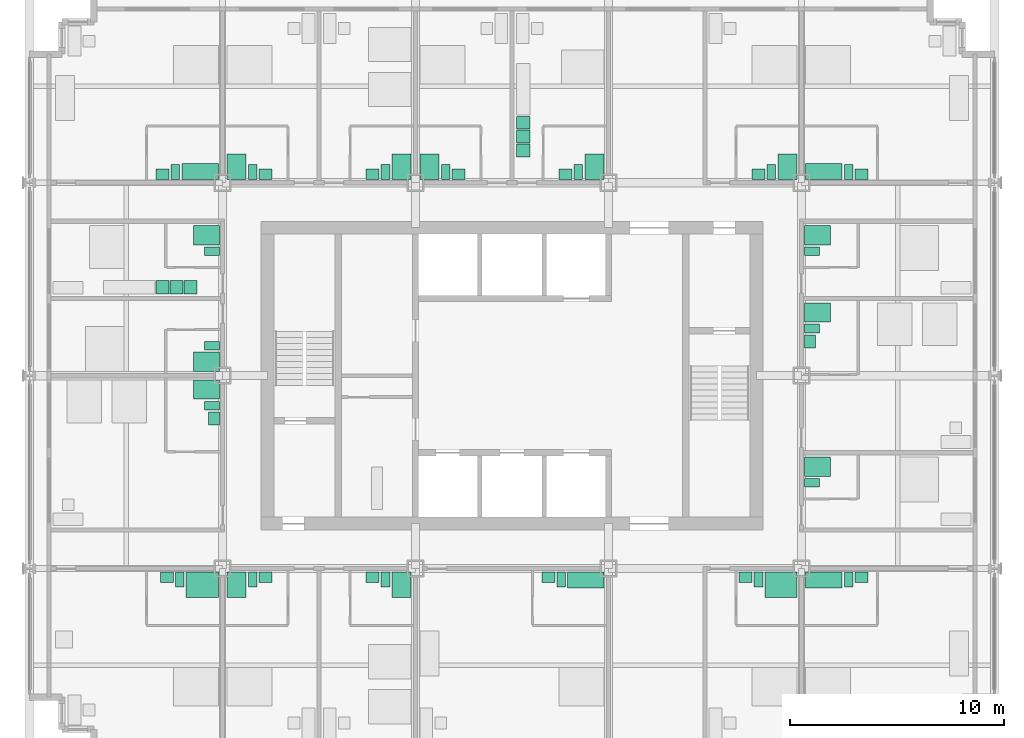
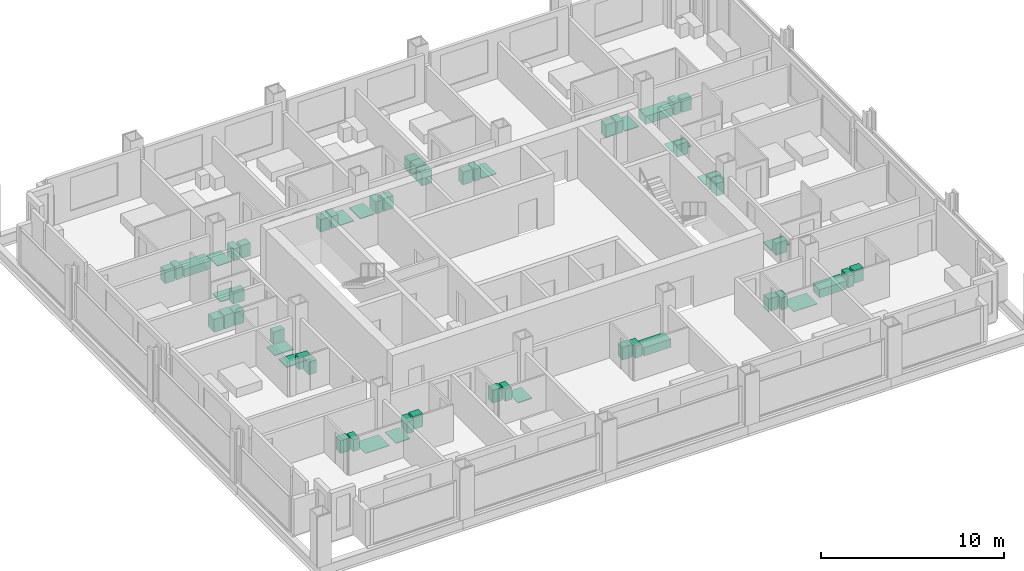
# One storey, part 16 of 17: 53 sanitary terminals, 6 electric appliances.
"""IFC4 building model written with IfcOpenShell, lengths in metres."""

from ifc_helpers import new_model, si_unit, direction, frame, origin, origin_2d, place, context, subcontext, project, spatial, rectangle, extrude, element, save


model = new_model("IFC4")

# Units and contexts
model_context = context("Model", 3, precision=1e-05, world=origin(), true_north=direction((0.0, 1.0)))
body_context = subcontext(model_context, "Body", "Model", "MODEL_VIEW")
ifc_project = project(units=[si_unit("LENGTHUNIT", "METRE"), si_unit("AREAUNIT", "SQUARE_METRE"), si_unit("VOLUMEUNIT", "CUBIC_METRE"), si_unit("PLANEANGLEUNIT", "RADIAN"), si_unit("MASSUNIT", "GRAM", prefix="KILO")], contexts=[model_context])

# Site, building, storey
site_placement = place(None, origin())
site = spatial("IfcSite", under=ifc_project, at=site_placement, CompositionType="ELEMENT")
building_placement = place(site_placement, origin())
building = spatial("IfcBuilding", under=site, at=building_placement, Name="Loomwork Tower", CompositionType="ELEMENT")
storey_placement = place(building_placement, frame((0.0, 0.0, 138.39990234375)))
storey = spatial("IfcBuildingStorey", under=building, at=storey_placement, Name="L37", CompositionType="ELEMENT", Elevation=138.39990234375)

# Sanitary terminals
sanitary_terminal_1_placement = place(storey_placement, frame((8.050048828125, 8.25, 0.0), z_axis=(0.0, 0.0, 1.0), x_axis=(1.0, 0.0, 0.0)))
element("IfcSanitaryTerminal", 1, at=sanitary_terminal_1_placement, inside=storey, Name="Roll-in shower floor L37", PredefinedType="SHOWER", context=body_context, shape_type="SweptSolid", body=[
    extrude(rectangle(XDim=1.5, YDim=1.199951171875, at=origin_2d()), origin(), (0.0, 0.0, 1.0), 0.030029296875),
])
sanitary_terminal_2_placement = place(storey_placement, frame((7.0, 8.5, 0.0), z_axis=(0.0, 0.0, 1.0), x_axis=(1.0, 0.0, 0.0)))
element("IfcSanitaryTerminal", 2, at=sanitary_terminal_2_placement, inside=storey, Name="WC L37", PredefinedType="TOILETPAN", context=body_context, shape_type="SweptSolid", body=[
    extrude(rectangle(XDim=0.39990234375, YDim=0.699951171875, at=origin_2d()), origin(), (0.0, 0.0, 1.0), 0.800048828125),
])
sanitary_terminal_3_placement = place(storey_placement, frame((6.39990234375, 8.60009765625, 0.0), z_axis=(0.0, 0.0, 1.0), x_axis=(1.0, 0.0, 0.0)))
element("IfcSanitaryTerminal", 3, at=sanitary_terminal_3_placement, inside=storey, Name="Basin vanity L37", PredefinedType="WASHHANDBASIN", context=body_context, shape_type="SweptSolid", body=[
    extrude(rectangle(XDim=0.60009765625, YDim=0.5, at=origin_2d()), origin(), (0.0, 0.0, 1.0), 0.85009765625),
])
sanitary_terminal_4_placement = place(storey_placement, frame((9.64990234375, 8.25, 0.0), z_axis=(0.0, 0.0, 1.0), x_axis=(1.0, 0.0, 0.0)))
element("IfcSanitaryTerminal", 4, at=sanitary_terminal_4_placement, inside=storey, Name="Shower tray L37", PredefinedType="SHOWER", context=body_context, shape_type="SweptSolid", body=[
    extrude(rectangle(XDim=0.89990234375, YDim=1.199951171875, at=origin_2d()), origin(), (0.0, 0.0, 1.0), 0.050048828125),
])
sanitary_terminal_5_placement = place(storey_placement, frame((10.39990234375, 8.5, 0.0), z_axis=(0.0, 0.0, 1.0), x_axis=(1.0, 0.0, 0.0)))
element("IfcSanitaryTerminal", 5, at=sanitary_terminal_5_placement, inside=storey, Name="WC L37", PredefinedType="TOILETPAN", context=body_context, shape_type="SweptSolid", body=[
    extrude(rectangle(XDim=0.39990234375, YDim=0.699951171875, at=origin_2d()), origin(), (0.0, 0.0, 1.0), 0.800048828125),
])
sanitary_terminal_6_placement = place(storey_placement, frame((11.0, 8.60009765625, 0.0), z_axis=(0.0, 0.0, 1.0), x_axis=(1.0, 0.0, 0.0)))
element("IfcSanitaryTerminal", 6, at=sanitary_terminal_6_placement, inside=storey, Name="Basin vanity L37", PredefinedType="WASHHANDBASIN", context=body_context, shape_type="SweptSolid", body=[
    extrude(rectangle(XDim=0.60009765625, YDim=0.5, at=origin_2d()), origin(), (0.0, 0.0, 1.0), 0.85009765625),
])
sanitary_terminal_7_placement = place(storey_placement, frame((17.35009765625, 8.25, 0.0), z_axis=(0.0, 0.0, 1.0), x_axis=(1.0, 0.0, 0.0)))
element("IfcSanitaryTerminal", 7, at=sanitary_terminal_7_placement, inside=storey, Name="Shower tray L37", PredefinedType="SHOWER", context=body_context, shape_type="SweptSolid", body=[
    extrude(rectangle(XDim=0.89990234375, YDim=1.199951171875, at=origin_2d()), origin(), (0.0, 0.0, 1.0), 0.050048828125),
])
sanitary_terminal_8_placement = place(storey_placement, frame((16.60009765625, 8.5, 0.0), z_axis=(0.0, 0.0, 1.0), x_axis=(1.0, 0.0, 0.0)))
element("IfcSanitaryTerminal", 8, at=sanitary_terminal_8_placement, inside=storey, Name="WC L37", PredefinedType="TOILETPAN", context=body_context, shape_type="SweptSolid", body=[
    extrude(rectangle(XDim=0.39990234375, YDim=0.699951171875, at=origin_2d()), origin(), (0.0, 0.0, 1.0), 0.800048828125),
])
sanitary_terminal_9_placement = place(storey_placement, frame((16.0, 8.60009765625, 0.0), z_axis=(0.0, 0.0, 1.0), x_axis=(1.0, 0.0, 0.0)))
element("IfcSanitaryTerminal", 9, at=sanitary_terminal_9_placement, inside=storey, Name="Basin vanity L37", PredefinedType="WASHHANDBASIN", context=body_context, shape_type="SweptSolid", body=[
    extrude(rectangle(XDim=0.60009765625, YDim=0.5, at=origin_2d()), origin(), (0.0, 0.0, 1.0), 0.85009765625),
])
sanitary_terminal_10_placement = place(storey_placement, frame((25.949951171875, 8.47509765625, 0.0), z_axis=(0.0, 0.0, 1.0), x_axis=(1.0, 0.0, 0.0)))
element("IfcSanitaryTerminal", 10, at=sanitary_terminal_10_placement, inside=storey, Name="Bath L37", PredefinedType="BATH", context=body_context, shape_type="SweptSolid", body=[
    extrude(rectangle(XDim=1.699951171875, YDim=0.75, at=origin_2d()), origin(), (0.0, 0.0, 1.0), 0.550048828125),
])
sanitary_terminal_11_placement = place(storey_placement, frame((24.800048828125, 8.5, 0.0), z_axis=(0.0, 0.0, 1.0), x_axis=(1.0, 0.0, 0.0)))
element("IfcSanitaryTerminal", 11, at=sanitary_terminal_11_placement, inside=storey, Name="WC L37", PredefinedType="TOILETPAN", context=body_context, shape_type="SweptSolid", body=[
    extrude(rectangle(XDim=0.39990234375, YDim=0.699951171875, at=origin_2d()), origin(), (0.0, 0.0, 1.0), 0.800048828125),
])
sanitary_terminal_12_placement = place(storey_placement, frame((24.199951171875, 8.60009765625, 0.0), z_axis=(0.0, 0.0, 1.0), x_axis=(1.0, 0.0, 0.0)))
element("IfcSanitaryTerminal", 12, at=sanitary_terminal_12_placement, inside=storey, Name="Basin vanity L37", PredefinedType="WASHHANDBASIN", context=body_context, shape_type="SweptSolid", body=[
    extrude(rectangle(XDim=0.60009765625, YDim=0.5, at=origin_2d()), origin(), (0.0, 0.0, 1.0), 0.85009765625),
])
sanitary_terminal_13_placement = place(storey_placement, frame((35.050048828125, 8.25, 0.0), z_axis=(0.0, 0.0, 1.0), x_axis=(1.0, 0.0, 0.0)))
element("IfcSanitaryTerminal", 13, at=sanitary_terminal_13_placement, inside=storey, Name="Roll-in shower floor L37", PredefinedType="SHOWER", context=body_context, shape_type="SweptSolid", body=[
    extrude(rectangle(XDim=1.5, YDim=1.199951171875, at=origin_2d()), origin(), (0.0, 0.0, 1.0), 0.030029296875),
])
sanitary_terminal_14_placement = place(storey_placement, frame((34.0, 8.5, 0.0), z_axis=(0.0, 0.0, 1.0), x_axis=(1.0, 0.0, 0.0)))
element("IfcSanitaryTerminal", 14, at=sanitary_terminal_14_placement, inside=storey, Name="WC L37", PredefinedType="TOILETPAN", context=body_context, shape_type="SweptSolid", body=[
    extrude(rectangle(XDim=0.39990234375, YDim=0.699951171875, at=origin_2d()), origin(), (0.0, 0.0, 1.0), 0.800048828125),
])
sanitary_terminal_15_placement = place(storey_placement, frame((33.39990234375, 8.60009765625, 0.0), z_axis=(0.0, 0.0, 1.0), x_axis=(1.0, 0.0, 0.0)))
element("IfcSanitaryTerminal", 15, at=sanitary_terminal_15_placement, inside=storey, Name="Basin vanity L37", PredefinedType="WASHHANDBASIN", context=body_context, shape_type="SweptSolid", body=[
    extrude(rectangle(XDim=0.60009765625, YDim=0.5, at=origin_2d()), origin(), (0.0, 0.0, 1.0), 0.85009765625),
])
sanitary_terminal_16_placement = place(storey_placement, frame((37.050048828125, 8.47509765625, 0.0), z_axis=(0.0, 0.0, 1.0), x_axis=(1.0, 0.0, 0.0)))
element("IfcSanitaryTerminal", 16, at=sanitary_terminal_16_placement, inside=storey, Name="Bath L37", PredefinedType="BATH", context=body_context, shape_type="SweptSolid", body=[
    extrude(rectangle(XDim=1.699951171875, YDim=0.75, at=origin_2d()), origin(), (0.0, 0.0, 1.0), 0.550048828125),
])
sanitary_terminal_17_placement = place(storey_placement, frame((38.199951171875, 8.5, 0.0), z_axis=(0.0, 0.0, 1.0), x_axis=(1.0, 0.0, 0.0)))
element("IfcSanitaryTerminal", 17, at=sanitary_terminal_17_placement, inside=storey, Name="WC L37", PredefinedType="TOILETPAN", context=body_context, shape_type="SweptSolid", body=[
    extrude(rectangle(XDim=0.39990234375, YDim=0.699951171875, at=origin_2d()), origin(), (0.0, 0.0, 1.0), 0.800048828125),
])
sanitary_terminal_18_placement = place(storey_placement, frame((38.800048828125, 8.60009765625, 0.0), z_axis=(0.0, 0.0, 1.0), x_axis=(1.0, 0.0, 0.0)))
element("IfcSanitaryTerminal", 18, at=sanitary_terminal_18_placement, inside=storey, Name="Basin vanity L37", PredefinedType="WASHHANDBASIN", context=body_context, shape_type="SweptSolid", body=[
    extrude(rectangle(XDim=0.60009765625, YDim=0.5, at=origin_2d()), origin(), (0.0, 0.0, 1.0), 0.85009765625),
])
sanitary_terminal_19_placement = place(storey_placement, frame((7.949951171875, 27.52490234375, 0.0), z_axis=(0.0, 0.0, 1.0), x_axis=(1.0, 0.0, 0.0)))
element("IfcSanitaryTerminal", 19, at=sanitary_terminal_19_placement, inside=storey, Name="Bath L37", PredefinedType="BATH", context=body_context, shape_type="SweptSolid", body=[
    extrude(rectangle(XDim=1.699951171875, YDim=0.75, at=origin_2d()), origin(), (0.0, 0.0, 1.0), 0.550048828125),
])
sanitary_terminal_20_placement = place(storey_placement, frame((6.800048828125, 27.5, 0.0), z_axis=(0.0, 0.0, 1.0), x_axis=(1.0, 0.0, 0.0)))
element("IfcSanitaryTerminal", 20, at=sanitary_terminal_20_placement, inside=storey, Name="WC L37", PredefinedType="TOILETPAN", context=body_context, shape_type="SweptSolid", body=[
    extrude(rectangle(XDim=0.39990234375, YDim=0.699951171875, at=origin_2d()), origin(), (0.0, 0.0, 1.0), 0.800048828125),
])
sanitary_terminal_21_placement = place(storey_placement, frame((6.199951171875, 27.39990234375, 0.0), z_axis=(0.0, 0.0, 1.0), x_axis=(1.0, 0.0, 0.0)))
element("IfcSanitaryTerminal", 21, at=sanitary_terminal_21_placement, inside=storey, Name="Basin vanity L37", PredefinedType="WASHHANDBASIN", context=body_context, shape_type="SweptSolid", body=[
    extrude(rectangle(XDim=0.60009765625, YDim=0.5, at=origin_2d()), origin(), (0.0, 0.0, 1.0), 0.85009765625),
])
sanitary_terminal_22_placement = place(storey_placement, frame((9.64990234375, 27.75, 0.0), z_axis=(0.0, 0.0, 1.0), x_axis=(1.0, 0.0, 0.0)))
element("IfcSanitaryTerminal", 22, at=sanitary_terminal_22_placement, inside=storey, Name="Shower tray L37", PredefinedType="SHOWER", context=body_context, shape_type="SweptSolid", body=[
    extrude(rectangle(XDim=0.89990234375, YDim=1.199951171875, at=origin_2d()), origin(), (0.0, 0.0, 1.0), 0.050048828125),
])
sanitary_terminal_23_placement = place(storey_placement, frame((10.39990234375, 27.5, 0.0), z_axis=(0.0, 0.0, 1.0), x_axis=(1.0, 0.0, 0.0)))
element("IfcSanitaryTerminal", 23, at=sanitary_terminal_23_placement, inside=storey, Name="WC L37", PredefinedType="TOILETPAN", context=body_context, shape_type="SweptSolid", body=[
    extrude(rectangle(XDim=0.39990234375, YDim=0.699951171875, at=origin_2d()), origin(), (0.0, 0.0, 1.0), 0.800048828125),
])
sanitary_terminal_24_placement = place(storey_placement, frame((11.0, 27.39990234375, 0.0), z_axis=(0.0, 0.0, 1.0), x_axis=(1.0, 0.0, 0.0)))
element("IfcSanitaryTerminal", 24, at=sanitary_terminal_24_placement, inside=storey, Name="Basin vanity L37", PredefinedType="WASHHANDBASIN", context=body_context, shape_type="SweptSolid", body=[
    extrude(rectangle(XDim=0.60009765625, YDim=0.5, at=origin_2d()), origin(), (0.0, 0.0, 1.0), 0.85009765625),
])
sanitary_terminal_25_placement = place(storey_placement, frame((17.35009765625, 27.75, 0.0), z_axis=(0.0, 0.0, 1.0), x_axis=(1.0, 0.0, 0.0)))
element("IfcSanitaryTerminal", 25, at=sanitary_terminal_25_placement, inside=storey, Name="Shower tray L37", PredefinedType="SHOWER", context=body_context, shape_type="SweptSolid", body=[
    extrude(rectangle(XDim=0.89990234375, YDim=1.199951171875, at=origin_2d()), origin(), (0.0, 0.0, 1.0), 0.050048828125),
])
sanitary_terminal_26_placement = place(storey_placement, frame((16.60009765625, 27.5, 0.0), z_axis=(0.0, 0.0, 1.0), x_axis=(1.0, 0.0, 0.0)))
element("IfcSanitaryTerminal", 26, at=sanitary_terminal_26_placement, inside=storey, Name="WC L37", PredefinedType="TOILETPAN", context=body_context, shape_type="SweptSolid", body=[
    extrude(rectangle(XDim=0.39990234375, YDim=0.699951171875, at=origin_2d()), origin(), (0.0, 0.0, 1.0), 0.800048828125),
])
sanitary_terminal_27_placement = place(storey_placement, frame((16.0, 27.39990234375, 0.0), z_axis=(0.0, 0.0, 1.0), x_axis=(1.0, 0.0, 0.0)))
element("IfcSanitaryTerminal", 27, at=sanitary_terminal_27_placement, inside=storey, Name="Basin vanity L37", PredefinedType="WASHHANDBASIN", context=body_context, shape_type="SweptSolid", body=[
    extrude(rectangle(XDim=0.60009765625, YDim=0.5, at=origin_2d()), origin(), (0.0, 0.0, 1.0), 0.85009765625),
])
sanitary_terminal_28_placement = place(storey_placement, frame((18.64990234375, 27.75, 0.0), z_axis=(0.0, 0.0, 1.0), x_axis=(1.0, 0.0, 0.0)))
element("IfcSanitaryTerminal", 28, at=sanitary_terminal_28_placement, inside=storey, Name="Shower tray L37", PredefinedType="SHOWER", context=body_context, shape_type="SweptSolid", body=[
    extrude(rectangle(XDim=0.89990234375, YDim=1.199951171875, at=origin_2d()), origin(), (0.0, 0.0, 1.0), 0.050048828125),
])
sanitary_terminal_29_placement = place(storey_placement, frame((19.39990234375, 27.5, 0.0), z_axis=(0.0, 0.0, 1.0), x_axis=(1.0, 0.0, 0.0)))
element("IfcSanitaryTerminal", 29, at=sanitary_terminal_29_placement, inside=storey, Name="WC L37", PredefinedType="TOILETPAN", context=body_context, shape_type="SweptSolid", body=[
    extrude(rectangle(XDim=0.39990234375, YDim=0.699951171875, at=origin_2d()), origin(), (0.0, 0.0, 1.0), 0.800048828125),
])
sanitary_terminal_30_placement = place(storey_placement, frame((20.0, 27.39990234375, 0.0), z_axis=(0.0, 0.0, 1.0), x_axis=(1.0, 0.0, 0.0)))
element("IfcSanitaryTerminal", 30, at=sanitary_terminal_30_placement, inside=storey, Name="Basin vanity L37", PredefinedType="WASHHANDBASIN", context=body_context, shape_type="SweptSolid", body=[
    extrude(rectangle(XDim=0.60009765625, YDim=0.5, at=origin_2d()), origin(), (0.0, 0.0, 1.0), 0.85009765625),
])
sanitary_terminal_31_placement = place(storey_placement, frame((26.35009765625, 27.75, 0.0), z_axis=(0.0, 0.0, 1.0), x_axis=(1.0, 0.0, 0.0)))
element("IfcSanitaryTerminal", 31, at=sanitary_terminal_31_placement, inside=storey, Name="Shower tray L37", PredefinedType="SHOWER", context=body_context, shape_type="SweptSolid", body=[
    extrude(rectangle(XDim=0.89990234375, YDim=1.199951171875, at=origin_2d()), origin(), (0.0, 0.0, 1.0), 0.050048828125),
])
sanitary_terminal_32_placement = place(storey_placement, frame((25.60009765625, 27.5, 0.0), z_axis=(0.0, 0.0, 1.0), x_axis=(1.0, 0.0, 0.0)))
element("IfcSanitaryTerminal", 32, at=sanitary_terminal_32_placement, inside=storey, Name="WC L37", PredefinedType="TOILETPAN", context=body_context, shape_type="SweptSolid", body=[
    extrude(rectangle(XDim=0.39990234375, YDim=0.699951171875, at=origin_2d()), origin(), (0.0, 0.0, 1.0), 0.800048828125),
])
sanitary_terminal_33_placement = place(storey_placement, frame((25.0, 27.39990234375, 0.0), z_axis=(0.0, 0.0, 1.0), x_axis=(1.0, 0.0, 0.0)))
element("IfcSanitaryTerminal", 33, at=sanitary_terminal_33_placement, inside=storey, Name="Basin vanity L37", PredefinedType="WASHHANDBASIN", context=body_context, shape_type="SweptSolid", body=[
    extrude(rectangle(XDim=0.60009765625, YDim=0.5, at=origin_2d()), origin(), (0.0, 0.0, 1.0), 0.85009765625),
])

# Electric appliances
electric_appliance_1_placement = place(storey_placement, frame((23.02490234375, 28.5, 0.0), z_axis=(0.0, 0.0, 1.0), x_axis=(1.0, 0.0, 0.0)))
element("IfcElectricAppliance", 34, at=electric_appliance_1_placement, inside=storey, Name="Refrigerator L37", PredefinedType="REFRIGERATOR", context=body_context, shape_type="SweptSolid", body=[
    extrude(rectangle(XDim=0.64990234375, YDim=0.60009765625, at=origin_2d()), origin(), (0.0, 0.0, 1.0), 0.85009765625),
])
electric_appliance_2_placement = place(storey_placement, frame((23.02490234375, 29.14990234375, 0.000244140625), z_axis=(0.0, 0.0, 1.0), x_axis=(1.0, 0.0, 0.0)))
element("IfcElectricAppliance", 35, at=electric_appliance_2_placement, inside=storey, Name="Two-ring cooktop and oven L37", PredefinedType="ELECTRICCOOKER", context=body_context, shape_type="SweptSolid", body=[
    extrude(rectangle(XDim=0.64990234375, YDim=0.60009765625, at=origin_2d()), origin(), (0.0, 0.0, 1.0), 0.89990234375),
])
electric_appliance_3_placement = place(storey_placement, frame((23.02490234375, 29.800048828125, 0.0), z_axis=(0.0, 0.0, 1.0), x_axis=(1.0, 0.0, 0.0)))
element("IfcElectricAppliance", 36, at=electric_appliance_3_placement, inside=storey, Name="Dishwasher L37", PredefinedType="DISHWASHER", context=body_context, shape_type="SweptSolid", body=[
    extrude(rectangle(XDim=0.64990234375, YDim=0.60009765625, at=origin_2d()), origin(), (0.0, 0.0, 1.0), 0.85009765625),
])

# Sanitary terminals
sanitary_terminal_34_placement = place(storey_placement, frame((35.35009765625, 27.75, 0.0), z_axis=(0.0, 0.0, 1.0), x_axis=(1.0, 0.0, 0.0)))
element("IfcSanitaryTerminal", 37, at=sanitary_terminal_34_placement, inside=storey, Name="Shower tray L37", PredefinedType="SHOWER", context=body_context, shape_type="SweptSolid", body=[
    extrude(rectangle(XDim=0.89990234375, YDim=1.199951171875, at=origin_2d()), origin(), (0.0, 0.0, 1.0), 0.050048828125),
])
sanitary_terminal_35_placement = place(storey_placement, frame((34.60009765625, 27.5, 0.0), z_axis=(0.0, 0.0, 1.0), x_axis=(1.0, 0.0, 0.0)))
element("IfcSanitaryTerminal", 38, at=sanitary_terminal_35_placement, inside=storey, Name="WC L37", PredefinedType="TOILETPAN", context=body_context, shape_type="SweptSolid", body=[
    extrude(rectangle(XDim=0.39990234375, YDim=0.699951171875, at=origin_2d()), origin(), (0.0, 0.0, 1.0), 0.800048828125),
])
sanitary_terminal_36_placement = place(storey_placement, frame((34.0, 27.39990234375, 0.0), z_axis=(0.0, 0.0, 1.0), x_axis=(1.0, 0.0, 0.0)))
element("IfcSanitaryTerminal", 39, at=sanitary_terminal_36_placement, inside=storey, Name="Basin vanity L37", PredefinedType="WASHHANDBASIN", context=body_context, shape_type="SweptSolid", body=[
    extrude(rectangle(XDim=0.60009765625, YDim=0.5, at=origin_2d()), origin(), (0.0, 0.0, 1.0), 0.85009765625),
])
sanitary_terminal_37_placement = place(storey_placement, frame((37.050048828125, 27.52490234375, 0.0), z_axis=(0.0, 0.0, 1.0), x_axis=(1.0, 0.0, 0.0)))
element("IfcSanitaryTerminal", 40, at=sanitary_terminal_37_placement, inside=storey, Name="Bath L37", PredefinedType="BATH", context=body_context, shape_type="SweptSolid", body=[
    extrude(rectangle(XDim=1.699951171875, YDim=0.75, at=origin_2d()), origin(), (0.0, 0.0, 1.0), 0.550048828125),
])
sanitary_terminal_38_placement = place(storey_placement, frame((38.199951171875, 27.5, 0.0), z_axis=(0.0, 0.0, 1.0), x_axis=(1.0, 0.0, 0.0)))
element("IfcSanitaryTerminal", 41, at=sanitary_terminal_38_placement, inside=storey, Name="WC L37", PredefinedType="TOILETPAN", context=body_context, shape_type="SweptSolid", body=[
    extrude(rectangle(XDim=0.39990234375, YDim=0.699951171875, at=origin_2d()), origin(), (0.0, 0.0, 1.0), 0.800048828125),
])
sanitary_terminal_39_placement = place(storey_placement, frame((38.800048828125, 27.39990234375, 0.0), z_axis=(0.0, 0.0, 1.0), x_axis=(1.0, 0.0, 0.0)))
element("IfcSanitaryTerminal", 42, at=sanitary_terminal_39_placement, inside=storey, Name="Basin vanity L37", PredefinedType="WASHHANDBASIN", context=body_context, shape_type="SweptSolid", body=[
    extrude(rectangle(XDim=0.60009765625, YDim=0.5, at=origin_2d()), origin(), (0.0, 0.0, 1.0), 0.85009765625),
])
sanitary_terminal_40_placement = place(storey_placement, frame((8.25, 17.35009765625, 0.0), z_axis=(0.0, 0.0, 1.0), x_axis=(1.0, 0.0, 0.0)))
element("IfcSanitaryTerminal", 43, at=sanitary_terminal_40_placement, inside=storey, Name="Shower tray L37", PredefinedType="SHOWER", context=body_context, shape_type="SweptSolid", body=[
    extrude(rectangle(XDim=1.199951171875, YDim=0.89990234375, at=origin_2d()), origin(), (0.0, 0.0, 1.0), 0.050048828125),
])
sanitary_terminal_41_placement = place(storey_placement, frame((8.5, 16.60009765625, 0.0), z_axis=(0.0, 0.0, 1.0), x_axis=(1.0, 0.0, 0.0)))
element("IfcSanitaryTerminal", 44, at=sanitary_terminal_41_placement, inside=storey, Name="WC L37", PredefinedType="TOILETPAN", context=body_context, shape_type="SweptSolid", body=[
    extrude(rectangle(XDim=0.699951171875, YDim=0.39990234375, at=origin_2d()), origin(), (0.0, 0.0, 1.0), 0.800048828125),
])
sanitary_terminal_42_placement = place(storey_placement, frame((8.60009765625, 16.0, 0.0), z_axis=(0.0, 0.0, 1.0), x_axis=(1.0, 0.0, 0.0)))
element("IfcSanitaryTerminal", 45, at=sanitary_terminal_42_placement, inside=storey, Name="Basin vanity L37", PredefinedType="WASHHANDBASIN", context=body_context, shape_type="SweptSolid", body=[
    extrude(rectangle(XDim=0.5, YDim=0.60009765625, at=origin_2d()), origin(), (0.0, 0.0, 1.0), 0.85009765625),
])
sanitary_terminal_43_placement = place(storey_placement, frame((8.25, 18.64990234375, 0.0), z_axis=(0.0, 0.0, 1.0), x_axis=(1.0, 0.0, 0.0)))
element("IfcSanitaryTerminal", 46, at=sanitary_terminal_43_placement, inside=storey, Name="Shower tray L37", PredefinedType="SHOWER", context=body_context, shape_type="SweptSolid", body=[
    extrude(rectangle(XDim=1.199951171875, YDim=0.89990234375, at=origin_2d()), origin(), (0.0, 0.0, 1.0), 0.050048828125),
])
sanitary_terminal_44_placement = place(storey_placement, frame((8.5, 19.39990234375, 0.0), z_axis=(0.0, 0.0, 1.0), x_axis=(1.0, 0.0, 0.0)))
element("IfcSanitaryTerminal", 47, at=sanitary_terminal_44_placement, inside=storey, Name="WC L37", PredefinedType="TOILETPAN", context=body_context, shape_type="SweptSolid", body=[
    extrude(rectangle(XDim=0.699951171875, YDim=0.39990234375, at=origin_2d()), origin(), (0.0, 0.0, 1.0), 0.800048828125),
])
sanitary_terminal_45_placement = place(storey_placement, frame((8.25, 24.550048828125, 0.0), z_axis=(0.0, 0.0, 1.0), x_axis=(1.0, 0.0, 0.0)))
element("IfcSanitaryTerminal", 48, at=sanitary_terminal_45_placement, inside=storey, Name="Shower tray L37", PredefinedType="SHOWER", context=body_context, shape_type="SweptSolid", body=[
    extrude(rectangle(XDim=1.199951171875, YDim=0.89990234375, at=origin_2d()), origin(), (0.0, 0.0, 1.0), 0.050048828125),
])
sanitary_terminal_46_placement = place(storey_placement, frame((8.5, 23.800048828125, 0.0), z_axis=(0.0, 0.0, 1.0), x_axis=(1.0, 0.0, 0.0)))
element("IfcSanitaryTerminal", 49, at=sanitary_terminal_46_placement, inside=storey, Name="WC L37", PredefinedType="TOILETPAN", context=body_context, shape_type="SweptSolid", body=[
    extrude(rectangle(XDim=0.699951171875, YDim=0.39990234375, at=origin_2d()), origin(), (0.0, 0.0, 1.0), 0.800048828125),
])

# Electric appliances
electric_appliance_4_placement = place(storey_placement, frame((7.5, 22.125, 0.0), z_axis=(0.0, 0.0, 1.0), x_axis=(1.0, 0.0, 0.0)))
element("IfcElectricAppliance", 50, at=electric_appliance_4_placement, inside=storey, Name="Refrigerator L37", PredefinedType="REFRIGERATOR", context=body_context, shape_type="SweptSolid", body=[
    extrude(rectangle(XDim=0.60009765625, YDim=0.64990234375, at=origin_2d()), origin(), (0.0, 0.0, 1.0), 0.85009765625),
])
electric_appliance_5_placement = place(storey_placement, frame((6.85009765625, 22.125, 0.000244140625), z_axis=(0.0, 0.0, 1.0), x_axis=(1.0, 0.0, 0.0)))
element("IfcElectricAppliance", 51, at=electric_appliance_5_placement, inside=storey, Name="Two-ring cooktop and oven L37", PredefinedType="ELECTRICCOOKER", context=body_context, shape_type="SweptSolid", body=[
    extrude(rectangle(XDim=0.60009765625, YDim=0.64990234375, at=origin_2d()), origin(), (0.0, 0.0, 1.0), 0.89990234375),
])
electric_appliance_6_placement = place(storey_placement, frame((6.199951171875, 22.125, 0.0), z_axis=(0.0, 0.0, 1.0), x_axis=(1.0, 0.0, 0.0)))
element("IfcElectricAppliance", 52, at=electric_appliance_6_placement, inside=storey, Name="Dishwasher L37", PredefinedType="DISHWASHER", context=body_context, shape_type="SweptSolid", body=[
    extrude(rectangle(XDim=0.60009765625, YDim=0.64990234375, at=origin_2d()), origin(), (0.0, 0.0, 1.0), 0.85009765625),
])

# Sanitary terminals
sanitary_terminal_47_placement = place(storey_placement, frame((36.75, 13.75, 0.0), z_axis=(0.0, 0.0, 1.0), x_axis=(1.0, 0.0, 0.0)))
element("IfcSanitaryTerminal", 53, at=sanitary_terminal_47_placement, inside=storey, Name="Shower tray L37", PredefinedType="SHOWER", context=body_context, shape_type="SweptSolid", body=[
    extrude(rectangle(XDim=1.199951171875, YDim=0.89990234375, at=origin_2d()), origin(), (0.0, 0.0, 1.0), 0.050048828125),
])
sanitary_terminal_48_placement = place(storey_placement, frame((36.5, 13.0, 0.0), z_axis=(0.0, 0.0, 1.0), x_axis=(1.0, 0.0, 0.0)))
element("IfcSanitaryTerminal", 54, at=sanitary_terminal_48_placement, inside=storey, Name="WC L37", PredefinedType="TOILETPAN", context=body_context, shape_type="SweptSolid", body=[
    extrude(rectangle(XDim=0.699951171875, YDim=0.39990234375, at=origin_2d()), origin(), (0.0, 0.0, 1.0), 0.800048828125),
])
sanitary_terminal_49_placement = place(storey_placement, frame((36.75, 20.949951171875, 0.0), z_axis=(0.0, 0.0, 1.0), x_axis=(1.0, 0.0, 0.0)))
element("IfcSanitaryTerminal", 55, at=sanitary_terminal_49_placement, inside=storey, Name="Shower tray L37", PredefinedType="SHOWER", context=body_context, shape_type="SweptSolid", body=[
    extrude(rectangle(XDim=1.199951171875, YDim=0.89990234375, at=origin_2d()), origin(), (0.0, 0.0, 1.0), 0.050048828125),
])
sanitary_terminal_50_placement = place(storey_placement, frame((36.5, 20.199951171875, 0.0), z_axis=(0.0, 0.0, 1.0), x_axis=(1.0, 0.0, 0.0)))
element("IfcSanitaryTerminal", 56, at=sanitary_terminal_50_placement, inside=storey, Name="WC L37", PredefinedType="TOILETPAN", context=body_context, shape_type="SweptSolid", body=[
    extrude(rectangle(XDim=0.699951171875, YDim=0.39990234375, at=origin_2d()), origin(), (0.0, 0.0, 1.0), 0.800048828125),
])
sanitary_terminal_51_placement = place(storey_placement, frame((36.39990234375, 19.60009765625, 0.0), z_axis=(0.0, 0.0, 1.0), x_axis=(1.0, 0.0, 0.0)))
element("IfcSanitaryTerminal", 57, at=sanitary_terminal_51_placement, inside=storey, Name="Basin vanity L37", PredefinedType="WASHHANDBASIN", context=body_context, shape_type="SweptSolid", body=[
    extrude(rectangle(XDim=0.5, YDim=0.60009765625, at=origin_2d()), origin(), (0.0, 0.0, 1.0), 0.85009765625),
])
sanitary_terminal_52_placement = place(storey_placement, frame((36.75, 24.550048828125, 0.0), z_axis=(0.0, 0.0, 1.0), x_axis=(1.0, 0.0, 0.0)))
element("IfcSanitaryTerminal", 58, at=sanitary_terminal_52_placement, inside=storey, Name="Shower tray L37", PredefinedType="SHOWER", context=body_context, shape_type="SweptSolid", body=[
    extrude(rectangle(XDim=1.199951171875, YDim=0.89990234375, at=origin_2d()), origin(), (0.0, 0.0, 1.0), 0.050048828125),
])
sanitary_terminal_53_placement = place(storey_placement, frame((36.5, 23.800048828125, 0.0), z_axis=(0.0, 0.0, 1.0), x_axis=(1.0, 0.0, 0.0)))
element("IfcSanitaryTerminal", 59, at=sanitary_terminal_53_placement, inside=storey, Name="WC L37", PredefinedType="TOILETPAN", context=body_context, shape_type="SweptSolid", body=[
    extrude(rectangle(XDim=0.699951171875, YDim=0.39990234375, at=origin_2d()), origin(), (0.0, 0.0, 1.0), 0.800048828125),
])

save(model, "model.ifc")
